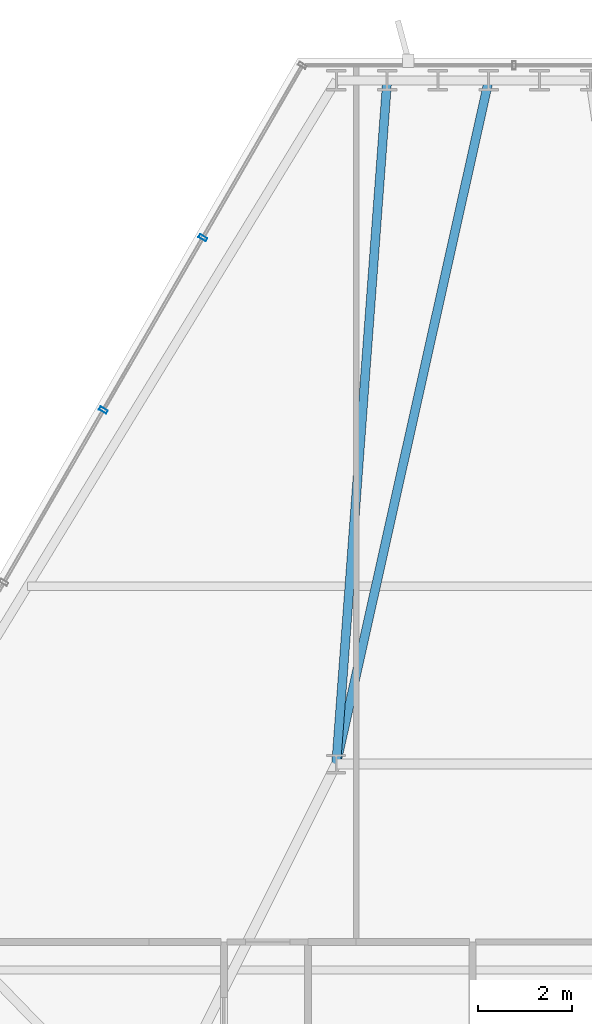
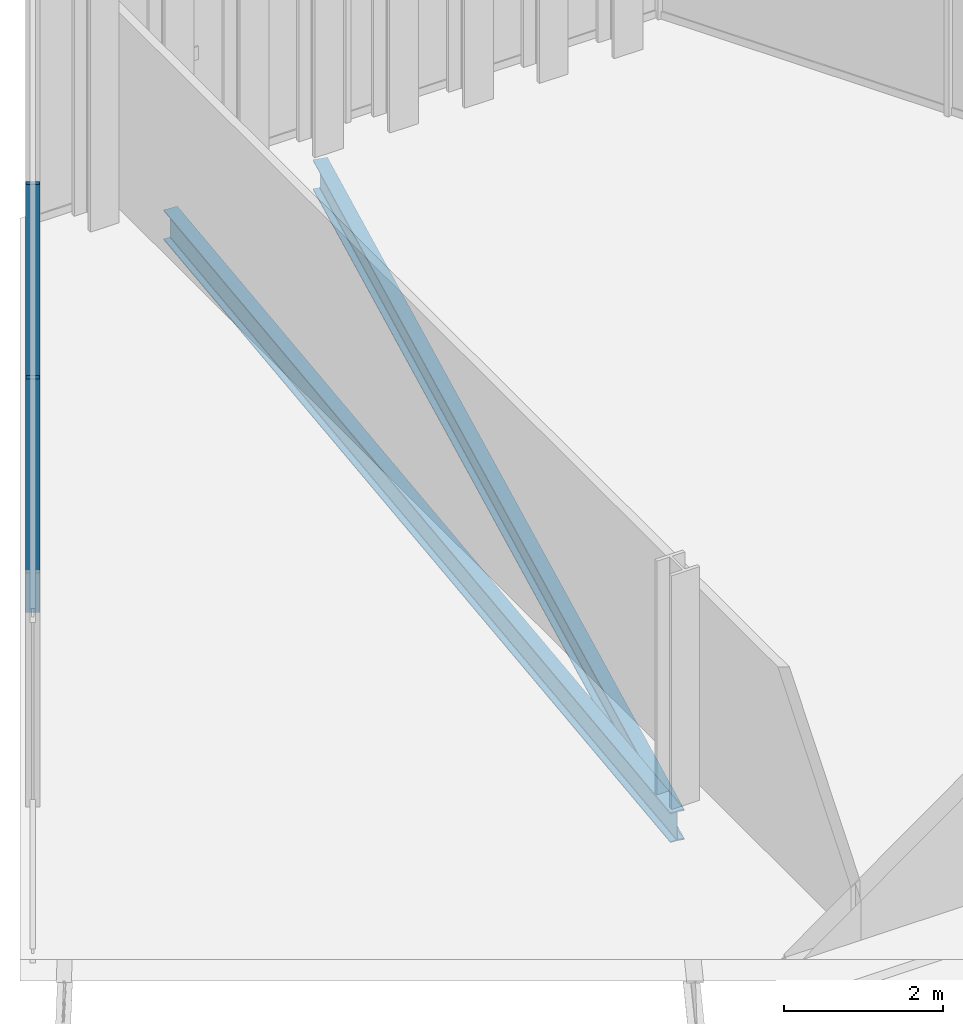
# One storey, part 21 of 34: 2 beams, 2 members, 1 element without a shape of its own.
"""IFC4 building model written with IfcOpenShell, lengths in metres."""

from ifc_helpers import new_model, si_unit, direction, frame, origin, origin_2d, place, context, subcontext, project, spatial, hollow_rectangle, i_section, extrude, material, layer, layer_set, material_profile, profile_set, type_object, element, aggregate, save


model = new_model("IFC4")

# Units and contexts
model_context = context("Model", 3, precision=1e-05, world=origin(), true_north=direction((0.0, 1.0)))
body_context = subcontext(model_context, "Body", "Model", "MODEL_VIEW")
ifc_project = project(units=[si_unit("LENGTHUNIT", "METRE"), si_unit("AREAUNIT", "SQUARE_METRE"), si_unit("VOLUMEUNIT", "CUBIC_METRE"), si_unit("PLANEANGLEUNIT", "RADIAN"), si_unit("MASSUNIT", "GRAM", prefix="KILO")], contexts=[model_context])

# Site, building, storey
site_placement = place(None, origin())
site = spatial("IfcSite", under=ifc_project, at=site_placement, CompositionType="ELEMENT")
building_placement = place(site_placement, origin())
building = spatial("IfcBuilding", under=site, at=building_placement, Name="Ndaravel Arena Tower", CompositionType="ELEMENT")
storey_placement = place(building_placement, frame((0.0, 0.0, 195.39990234375)))
storey = spatial("IfcBuildingStorey", under=building, at=storey_placement, Name="L47", CompositionType="ELEMENT", Elevation=195.39990234375)

# Beams
ifc_material_1 = material(Name="Steel S355", Category="steel")
ifc_material_profile_1 = material_profile(ifc_material_1, i_section(OverallWidth=0.19140625, OverallDepth=0.4599609375, WebThickness=0.010009765625, FlangeThickness=0.01611328125, FilletRadius=0.01025390625, at=origin_2d()), Name="UB 457x191x82")
ifc_profile_set_1 = profile_set([ifc_material_profile_1], Name="Steel S355")
beam_type = type_object("IfcBeamType", Name="BM-GIRD-UB457", PredefinedType="BEAM", material=ifc_profile_set_1)
beam_1_placement = place(storey_placement, frame((41.457763671875, 45.805908203125, -0.449951171875), z_axis=(-0.21769735255, -0.976016322964, 0.0), x_axis=(0.976016322964, -0.21769735255, 0.0)))
element("IfcBeam", 1, at=beam_1_placement, inside=storey, type_object=beam_type, Name="L47 Radial Floor Girder FG-15", PredefinedType="BEAM", context=body_context, shape_type="SweptSolid", body=[
    extrude(i_section(OverallWidth=0.19140625, OverallDepth=0.4599609375, WebThickness=0.010009765625, FlangeThickness=0.01611328125, FilletRadius=0.01025390625, at=origin_2d()), origin(), (0.0, 0.0, 1.0), 14.96484375),
])
beam_2_placement = place(storey_placement, frame((39.28857421875, 45.805908203125, -0.449951171875), z_axis=(-0.074326650263, -0.997233949011, 0.0), x_axis=(0.997233949011, -0.074326650263, 0.0)))
element("IfcBeam", 2, at=beam_2_placement, inside=storey, type_object=beam_type, Name="L47 Radial Floor Girder FG-17", PredefinedType="BEAM", context=body_context, shape_type="SweptSolid", body=[
    extrude(i_section(OverallWidth=0.19140625, OverallDepth=0.4599609375, WebThickness=0.010009765625, FlangeThickness=0.01611328125, FilletRadius=0.01025390625, at=origin_2d()), origin(), (0.0, 0.0, 1.0), 14.646484375),
])

# Curtain wall, members
ifc_material_2 = material(Name="Aluminium", Category="aluminium")
ifc_layer = layer(ifc_material_2, 0.179931640625)
ifc_layer_set = layer_set([ifc_layer], Name="Aluminium")
curtain_wall_type = type_object("IfcCurtainWallType", Name="CW-SYS-03", PredefinedType="NOTDEFINED", material=ifc_layer_set)
curtain_wall_placement = place(storey_placement, origin())
curtain_wall = element("IfcCurtainWall", 3, at=curtain_wall_placement, inside=storey, type_object=curtain_wall_type, Name="L47 Faceted Crystal Curtain Wall CW-L47-E05", PredefinedType="NOTDEFINED")
ifc_material_3 = material(Name="Aluminium", Category="aluminium")
ifc_material_profile_2 = material_profile(ifc_material_3, hollow_rectangle(XDim=0.074951171875, YDim=0.179931640625, WallThickness=0.00390625, at=origin_2d()), Name="CW MULLION 75x180x4")
ifc_profile_set_2 = profile_set([ifc_material_profile_2], Name="Aluminium")
member_type = type_object("IfcMemberType", Name="MEM-CW-MUL180", PredefinedType="MULLION", material=ifc_profile_set_2)
member_1_placement = place(storey_placement, frame((35.3515625, 42.444580078125, 0.0), z_axis=(0.0, 0.0, 1.0), x_axis=(-0.5, -0.866025403784, 0.0)))
member_1 = element("IfcMember", 4, at=member_1_placement, type_object=member_type, Name="CW-L47-E05 Mullion 01", PredefinedType="MULLION", context=body_context, shape_type="SweptSolid", body=[
    extrude(hollow_rectangle(XDim=0.074951171875, YDim=0.179931640625, WallThickness=0.00390625, at=origin_2d()), origin(), (0.0, 0.0, 1.0), 3.580078125),
])
member_2_placement = place(storey_placement, frame((33.226318359375, 38.763427734375, 0.0), z_axis=(0.0, 0.0, 1.0), x_axis=(-0.5, -0.866025403784, 0.0)))
member_2 = element("IfcMember", 5, at=member_2_placement, type_object=member_type, Name="CW-L47-E05 Mullion 02", PredefinedType="MULLION", context=body_context, shape_type="SweptSolid", body=[
    extrude(hollow_rectangle(XDim=0.074951171875, YDim=0.179931640625, WallThickness=0.00390625, at=origin_2d()), origin(), (0.0, 0.0, 1.0), 3.580078125),
])
aggregate(curtain_wall, [member_1, member_2])

save(model, "model.ifc")
